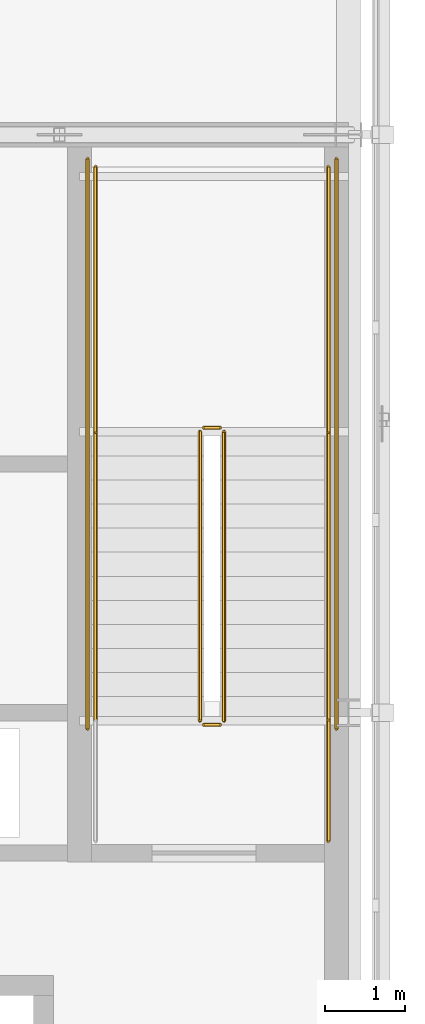
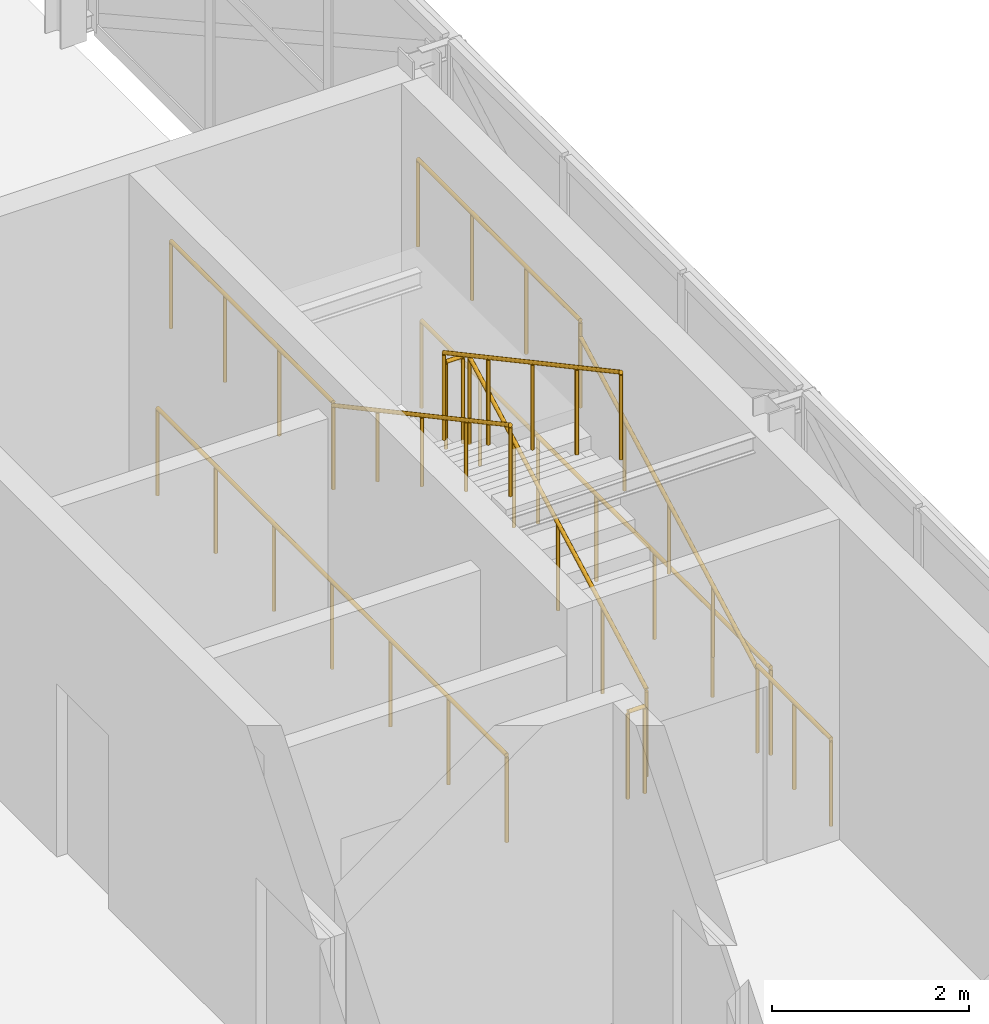
# One storey, part 140 of 146: 11 railings.
"""IFC4 building model written with IfcOpenShell, lengths in metres."""

from ifc_helpers import new_model, si_unit, direction, frame, origin, origin_2d, place, context, subcontext, project, spatial, circle, extrude, material, type_object, element, save


model = new_model("IFC4")

# Units and contexts
model_context = context("Model", 3, precision=1e-05, world=origin(), true_north=direction((0.0, 1.0)))
body_context = subcontext(model_context, "Body", "Model", "MODEL_VIEW")
ifc_project = project(units=[si_unit("LENGTHUNIT", "METRE"), si_unit("AREAUNIT", "SQUARE_METRE"), si_unit("VOLUMEUNIT", "CUBIC_METRE"), si_unit("PLANEANGLEUNIT", "RADIAN"), si_unit("MASSUNIT", "GRAM", prefix="KILO")], contexts=[model_context])

# Site, building, storey
site_placement = place(None, origin())
site = spatial("IfcSite", under=ifc_project, at=site_placement, CompositionType="ELEMENT")
building_placement = place(site_placement, origin())
building = spatial("IfcBuilding", under=site, at=building_placement, Name="Zlatovets Crest Museum", CompositionType="ELEMENT")
storey_placement = place(building_placement, frame((0.0, 0.0, 4.5)))
storey = spatial("IfcBuildingStorey", under=building, at=storey_placement, Name="L01", CompositionType="ELEMENT", Elevation=4.5)

# Railings
ifc_material_1 = material(Name="Painted steel safety guardrail", Category="steel")
railing_type_1 = type_object("IfcRailingType", Name="StairGuard_SG01", PredefinedType="GUARDRAIL", material=ifc_material_1)
railing_1_placement = place(storey_placement, frame((34.449951171875, 64.699951171875, 0.16162109375)))
element("IfcRailing", 1, at=railing_1_placement, inside=storey, type_object=railing_type_1, Name="L01 ST4 stair guard 1", PredefinedType="GUARDRAIL", context=body_context, shape_type="SweptSolid", body=[
    extrude(circle(Radius=0.02392578125, at=origin_2d()), frame((0.0, 0.0, 1.076171875), z_axis=(0.0, 0.880474934443, 0.474092701714), x_axis=(-1.0, 0.0, 0.0)), (0.0, 0.0, 1.0), 4.0888671875),
    extrude(circle(Radius=0.02099609375, at=origin_2d()), origin(), (0.0, 0.0, 1.0), 1.052001953125),
    extrude(circle(Radius=0.02099609375, at=origin_2d()), frame((0.0, 0.89990234375, 0.484619140625)), (0.0, 0.0, 1.0), 1.052001953125),
    extrude(circle(Radius=0.02099609375, at=origin_2d()), frame((0.0, 1.800048828125, 0.96923828125)), (0.0, 0.0, 1.0), 1.052001953125),
    extrude(circle(Radius=0.02099609375, at=origin_2d()), frame((0.0, 2.7001953125, 1.453857421875)), (0.0, 0.0, 1.0), 1.052001953125),
    extrude(circle(Radius=0.02099609375, at=origin_2d()), frame((0.0, 3.60009765625, 1.9384765625)), (0.0, 0.0, 1.0), 1.052001953125),
])
railing_2_placement = place(storey_placement, frame((34.39990234375, 68.35009765625, 2.10009765625)))
element("IfcRailing", 2, at=railing_2_placement, inside=storey, type_object=railing_type_1, Name="L01 ST4 stair guard 2", PredefinedType="GUARDRAIL", context=body_context, shape_type="SweptSolid", body=[
    extrude(circle(Radius=0.02392578125, at=origin_2d()), frame((0.0, 0.0, 1.076171875), z_axis=(-1.0, 0.0, 0.0), x_axis=(0.0, -1.0, 0.0)), (0.0, 0.0, 1.0), 0.199951171875),
    extrude(circle(Radius=0.02099609375, at=origin_2d()), origin(), (0.0, 0.0, 1.0), 1.052001953125),
    extrude(circle(Radius=0.02099609375, at=origin_2d()), frame((-0.199951171875, 0.0, 0.0)), (0.0, 0.0, 1.0), 1.052001953125),
])
for number, where, name in (
    (3, (35.75, 68.300048828125, 2.10009765625), "L01 ST4 stair guard 3"),
    (4, (32.85009765625, 68.300048828125, 2.10009765625), "L01 ST4 stair guard 4"),
):
    element("IfcRailing", number, at=place(storey_placement, frame(where)), inside=storey, type_object=railing_type_1, Name=name, PredefinedType="GUARDRAIL", context=body_context, shape_type="SweptSolid", body=[
        extrude(circle(Radius=0.02392578125, at=origin_2d()), frame((0.0, 0.0, 1.076171875), z_axis=(0.0, 1.0, 0.0), x_axis=(-1.0, 0.0, 0.0)), (0.0, 0.0, 1.0), 3.300048828125),
        extrude(circle(Radius=0.02099609375, at=origin_2d()), origin(), (0.0, 0.0, 1.0), 1.052001953125),
        extrude(circle(Radius=0.02099609375, at=origin_2d()), frame((0.0, 1.10009765625, 0.0)), (0.0, 0.0, 1.0), 1.052001953125),
        extrude(circle(Radius=0.02099609375, at=origin_2d()), frame((0.0, 2.199951171875, 0.0)), (0.0, 0.0, 1.0), 1.052001953125),
        extrude(circle(Radius=0.02099609375, at=origin_2d()), frame((0.0, 3.300048828125, 0.0)), (0.0, 0.0, 1.0), 1.052001953125),
    ])
railing_3_placement = place(storey_placement, frame((34.14990234375, 68.300048828125, 2.261474609375)))
element("IfcRailing", 5, at=railing_3_placement, inside=storey, type_object=railing_type_1, Name="L01 ST4 stair guard 5", PredefinedType="GUARDRAIL", context=body_context, shape_type="SweptSolid", body=[
    extrude(circle(Radius=0.02392578125, at=origin_2d()), frame((0.0, 0.0, 1.076171875), z_axis=(0.0, -0.880474934443, 0.474092701714), x_axis=(1.0, 0.0, 0.0)), (0.0, 0.0, 1.0), 4.0888671875),
    extrude(circle(Radius=0.02099609375, at=origin_2d()), origin(), (0.0, 0.0, 1.0), 1.052001953125),
    extrude(circle(Radius=0.02099609375, at=origin_2d()), frame((0.0, -0.89990234375, 0.484619140625)), (0.0, 0.0, 1.0), 1.052001953125),
    extrude(circle(Radius=0.02099609375, at=origin_2d()), frame((0.0, -1.800048828125, 0.96923828125)), (0.0, 0.0, 1.0), 1.052001953125),
    extrude(circle(Radius=0.02099609375, at=origin_2d()), frame((0.0, -2.7001953125, 1.453857421875)), (0.0, 0.0, 1.0), 1.052001953125),
    extrude(circle(Radius=0.02099609375, at=origin_2d()), frame((0.0, -3.60009765625, 1.9384765625)), (0.0, 0.0, 1.0), 1.052001953125),
])
railing_4_placement = place(storey_placement, frame((34.39990234375, 64.64990234375, 0.0)))
element("IfcRailing", 6, at=railing_4_placement, inside=storey, type_object=railing_type_1, Name="L01 ST4 stair guard 6", PredefinedType="GUARDRAIL", context=body_context, shape_type="SweptSolid", body=[
    extrude(circle(Radius=0.02392578125, at=origin_2d()), frame((0.0, 0.0, 1.076171875), z_axis=(-1.0, 0.0, 0.0), x_axis=(0.0, -1.0, 0.0)), (0.0, 0.0, 1.0), 0.199951171875),
    extrude(circle(Radius=0.02099609375, at=origin_2d()), origin(), (0.0, 0.0, 1.0), 1.052001953125),
    extrude(circle(Radius=0.02099609375, at=origin_2d()), frame((-0.199951171875, 0.0, 0.0)), (0.0, 0.0, 1.0), 1.052001953125),
])
railing_5_placement = place(storey_placement, frame((35.75, 63.199951171875, 0.0)))
element("IfcRailing", 7, at=railing_5_placement, inside=storey, type_object=railing_type_1, Name="L01 ST4 stair guard 7", PredefinedType="GUARDRAIL", context=body_context, shape_type="SweptSolid", body=[
    extrude(circle(Radius=0.02392578125, at=origin_2d()), frame((0.0, 0.0, 1.076171875), z_axis=(0.0, 1.0, 0.0), x_axis=(-1.0, 0.0, 0.0)), (0.0, 0.0, 1.0), 1.5),
    extrude(circle(Radius=0.02099609375, at=origin_2d()), origin(), (0.0, 0.0, 1.0), 1.052001953125),
    extrude(circle(Radius=0.02099609375, at=origin_2d()), frame((0.0, 0.75, 0.0)), (0.0, 0.0, 1.0), 1.052001953125),
    extrude(circle(Radius=0.02099609375, at=origin_2d()), frame((0.0, 1.5, 0.0)), (0.0, 0.0, 1.0), 1.052001953125),
])
for number, where, name in (
    (8, (35.85009765625, 64.60009765625, 0.0), "L01 ST4 stair guard 9"),
    (9, (32.75, 64.60009765625, 0.0), "L01 ST4 stair guard 10"),
):
    element("IfcRailing", number, at=place(storey_placement, frame(where)), inside=storey, type_object=railing_type_1, Name=name, PredefinedType="GUARDRAIL", context=body_context, shape_type="SweptSolid", body=[
        extrude(circle(Radius=0.02392578125, at=origin_2d()), frame((0.0, 0.0, 1.076171875), z_axis=(0.0, 1.0, 0.0), x_axis=(-1.0, 0.0, 0.0)), (0.0, 0.0, 1.0), 7.099853515625),
        extrude(circle(Radius=0.02099609375, at=origin_2d()), origin(), (0.0, 0.0, 1.0), 1.052001953125),
        extrude(circle(Radius=0.02099609375, at=origin_2d()), frame((0.0, 1.183349609375, 0.0)), (0.0, 0.0, 1.0), 1.052001953125),
        extrude(circle(Radius=0.02099609375, at=origin_2d()), frame((0.0, 2.36669921875, 0.0)), (0.0, 0.0, 1.0), 1.052001953125),
        extrude(circle(Radius=0.02099609375, at=origin_2d()), frame((0.0, 3.5498046875, 0.0)), (0.0, 0.0, 1.0), 1.052001953125),
        extrude(circle(Radius=0.02099609375, at=origin_2d()), frame((0.0, 4.733154296875, 0.0)), (0.0, 0.0, 1.0), 1.052001953125),
        extrude(circle(Radius=0.02099609375, at=origin_2d()), frame((0.0, 5.91650390625, 0.0)), (0.0, 0.0, 1.0), 1.052001953125),
        extrude(circle(Radius=0.02099609375, at=origin_2d()), frame((0.0, 7.099853515625, 0.0)), (0.0, 0.0, 1.0), 1.052001953125),
    ])
ifc_material_2 = material(Name="Brushed bronze stair handrail")
railing_type_2 = type_object("IfcRailingType", Name="StairHandrail_SH01", PredefinedType="HANDRAIL", material=ifc_material_2)
railing_6_placement = place(storey_placement, frame((35.75, 64.699951171875, 0.16162109375)))
element("IfcRailing", 10, at=railing_6_placement, inside=storey, type_object=railing_type_2, Name="L01 ST4 stair handrail 1", PredefinedType="HANDRAIL", context=body_context, shape_type="SweptSolid", body=[
    extrude(circle(Radius=0.02392578125, at=origin_2d()), frame((0.0, 0.0, 0.8759765625), z_axis=(0.0, 0.880474934443, 0.474092701714), x_axis=(-1.0, 0.0, 0.0)), (0.0, 0.0, 1.0), 4.0888671875),
    extrude(circle(Radius=0.02099609375, at=origin_2d()), origin(), (0.0, 0.0, 1.0), 0.851806640625),
    extrude(circle(Radius=0.02099609375, at=origin_2d()), frame((0.0, 0.89990234375, 0.484619140625)), (0.0, 0.0, 1.0), 0.851806640625),
    extrude(circle(Radius=0.02099609375, at=origin_2d()), frame((0.0, 1.800048828125, 0.96923828125)), (0.0, 0.0, 1.0), 0.851806640625),
    extrude(circle(Radius=0.02099609375, at=origin_2d()), frame((0.0, 2.7001953125, 1.453857421875)), (0.0, 0.0, 1.0), 0.851806640625),
    extrude(circle(Radius=0.02099609375, at=origin_2d()), frame((0.0, 3.60009765625, 1.9384765625)), (0.0, 0.0, 1.0), 0.851806640625),
])
railing_7_placement = place(storey_placement, frame((32.85009765625, 68.300048828125, 2.261474609375)))
element("IfcRailing", 11, at=railing_7_placement, inside=storey, type_object=railing_type_2, Name="L01 ST4 stair handrail 2", PredefinedType="HANDRAIL", context=body_context, shape_type="SweptSolid", body=[
    extrude(circle(Radius=0.02392578125, at=origin_2d()), frame((0.0, 0.0, 0.8759765625), z_axis=(0.0, -0.880474934443, 0.474092701714), x_axis=(1.0, 0.0, 0.0)), (0.0, 0.0, 1.0), 4.0888671875),
    extrude(circle(Radius=0.02099609375, at=origin_2d()), origin(), (0.0, 0.0, 1.0), 0.851806640625),
    extrude(circle(Radius=0.02099609375, at=origin_2d()), frame((0.0, -0.89990234375, 0.484619140625)), (0.0, 0.0, 1.0), 0.851806640625),
    extrude(circle(Radius=0.02099609375, at=origin_2d()), frame((0.0, -1.800048828125, 0.96923828125)), (0.0, 0.0, 1.0), 0.851806640625),
    extrude(circle(Radius=0.02099609375, at=origin_2d()), frame((0.0, -2.7001953125, 1.453857421875)), (0.0, 0.0, 1.0), 0.851806640625),
    extrude(circle(Radius=0.02099609375, at=origin_2d()), frame((0.0, -3.60009765625, 1.9384765625)), (0.0, 0.0, 1.0), 0.851806640625),
])

save(model, "model.ifc")
